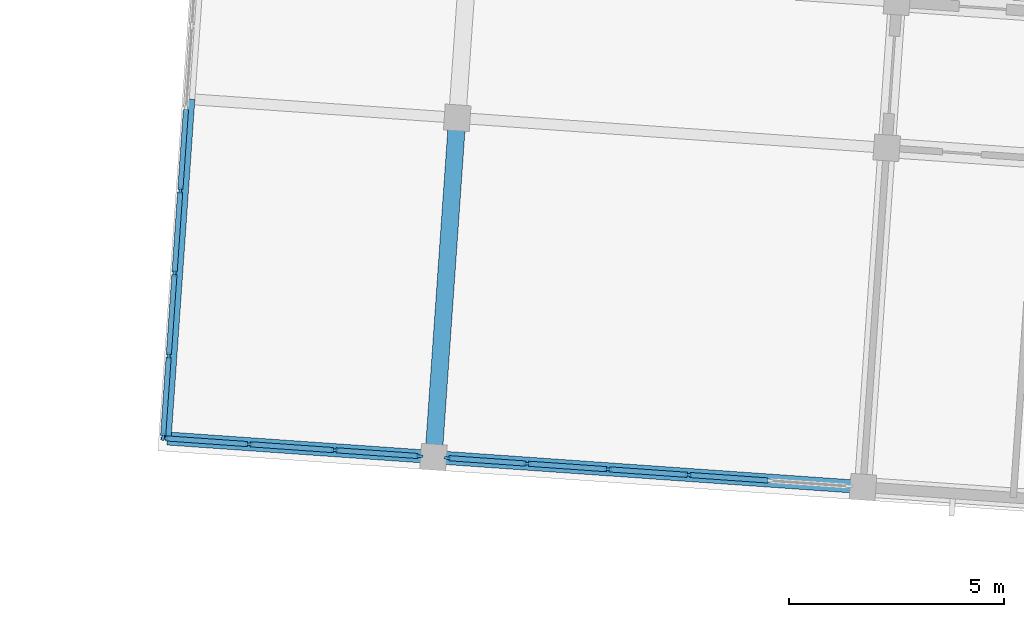
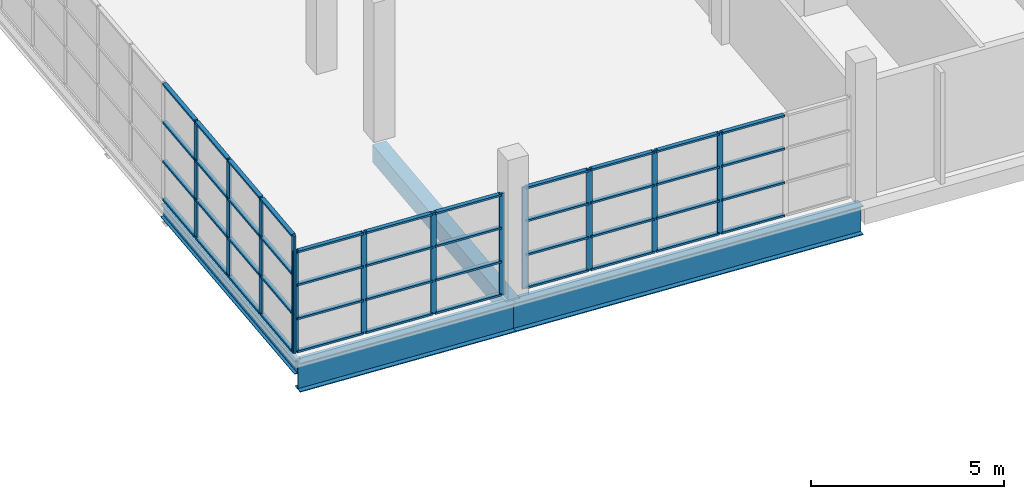
# One storey, part 37 of 115: 56 members, 4 beams, 3 elements without a shape of their own.
"""IFC4 building model written with IfcOpenShell, lengths in metres."""

from ifc_helpers import new_model, si_unit, direction, frame, origin, origin_2d, place, context, subcontext, project, spatial, rectangle, i_section, extrude, material, material_profile, profile_set, type_object, element, aggregate, save


model = new_model("IFC4")

# Units and contexts
model_context = context("Model", 3, precision=1e-05, world=origin(), true_north=direction((0.0, 1.0)))
body_context = subcontext(model_context, "Body", "Model", "MODEL_VIEW")
ifc_project = project(units=[si_unit("LENGTHUNIT", "METRE"), si_unit("AREAUNIT", "SQUARE_METRE"), si_unit("VOLUMEUNIT", "CUBIC_METRE"), si_unit("PLANEANGLEUNIT", "RADIAN"), si_unit("MASSUNIT", "GRAM", prefix="KILO")], contexts=[model_context])

# Site, building, storey
site_placement = place(None, origin())
site = spatial("IfcSite", under=ifc_project, at=site_placement, CompositionType="ELEMENT")
building_placement = place(site_placement, origin())
building = spatial("IfcBuilding", under=site, at=building_placement, Name="Windward Yard Aquatics Centre", CompositionType="ELEMENT")
storey_placement = place(building_placement, frame((0.0, 0.0, 5.0)))
storey = spatial("IfcBuildingStorey", under=building, at=storey_placement, Name="L01", CompositionType="ELEMENT", Elevation=5.0)

# Curtain wall, members
ifc_material_1 = material(Name="Aluminium curtain wall system", Category="aluminium")
curtain_wall_type = type_object("IfcCurtainWallType", Name="W curtain wall 1900", PredefinedType="NOTDEFINED", material=ifc_material_1)
curtain_wall_1_placement = place(storey_placement, origin())
curtain_wall_1 = element("IfcCurtainWall", 1, at=curtain_wall_1_placement, inside=storey, type_object=curtain_wall_type, Name="Wing south glazing L01 1", PredefinedType="NOTDEFINED")
ifc_material_2 = material(Name="Aluminium mullion", Category="aluminium")
ifc_material_profile_1 = material_profile(ifc_material_2, rectangle(XDim=0.06005859375, YDim=0.159912109375, at=origin_2d()), Name="AL 60x160")
ifc_profile_set_1 = profile_set([ifc_material_profile_1], Name="Aluminium mullion")
member_type_1 = type_object("IfcMemberType", Name="W CW mullion 60x160", PredefinedType="MULLION", material=ifc_profile_set_1)
member_1_placement = place(storey_placement, frame((101.608642578125, 117.302490234375, 0.0), z_axis=(0.0, 0.0, 1.0), x_axis=(0.069766434969, 0.997563353653, 0.0)))
member_1 = element("IfcMember", 2, at=member_1_placement, type_object=member_type_1, Name="WCW1 mullion 1", PredefinedType="MULLION", context=body_context, shape_type="SweptSolid", body=[
    extrude(rectangle(XDim=0.06005859375, YDim=0.159912109375, at=origin_2d()), origin(), (0.0, 0.0, 1.0), 3.2060546875),
])
member_2_placement = place(storey_placement, frame((103.57373046875, 117.1650390625, 0.0), z_axis=(0.0, 0.0, 1.0), x_axis=(0.069766434969, 0.997563353653, 0.0)))
member_2 = element("IfcMember", 3, at=member_2_placement, type_object=member_type_1, Name="WCW1 mullion 2", PredefinedType="MULLION", context=body_context, shape_type="SweptSolid", body=[
    extrude(rectangle(XDim=0.06005859375, YDim=0.159912109375, at=origin_2d()), origin(), (0.0, 0.0, 1.0), 3.2060546875),
])
member_3_placement = place(storey_placement, frame((105.56884765625, 117.025634765625, 0.0), z_axis=(0.0, 0.0, 1.0), x_axis=(0.069766434969, 0.997563353653, 0.0)))
member_3 = element("IfcMember", 4, at=member_3_placement, type_object=member_type_1, Name="WCW1 mullion 3", PredefinedType="MULLION", context=body_context, shape_type="SweptSolid", body=[
    extrude(rectangle(XDim=0.06005859375, YDim=0.159912109375, at=origin_2d()), origin(), (0.0, 0.0, 1.0), 3.2060546875),
])
member_4_placement = place(storey_placement, frame((107.5341796875, 116.88818359375, 0.0), z_axis=(0.0, 0.0, 1.0), x_axis=(0.069766434969, 0.997563353653, 0.0)))
member_4 = element("IfcMember", 5, at=member_4_placement, type_object=member_type_1, Name="WCW1 mullion 4", PredefinedType="MULLION", context=body_context, shape_type="SweptSolid", body=[
    extrude(rectangle(XDim=0.06005859375, YDim=0.159912109375, at=origin_2d()), origin(), (0.0, 0.0, 1.0), 3.2060546875),
])

curtain_wall_2_placement = place(storey_placement, origin())
curtain_wall_2 = element("IfcCurtainWall", 6, at=curtain_wall_2_placement, inside=storey, type_object=curtain_wall_type, Name="Wing south glazing L01 2", PredefinedType="NOTDEFINED")
member_5_placement = place(storey_placement, frame((108.1923828125, 116.842041015625, 0.0), z_axis=(0.0, 0.0, 1.0), x_axis=(0.069755340111, 0.997564129531, 0.0)))
member_5 = element("IfcMember", 7, at=member_5_placement, type_object=member_type_1, Name="WCW1 mullion 1", PredefinedType="MULLION", context=body_context, shape_type="SweptSolid", body=[
    extrude(rectangle(XDim=0.06005859375, YDim=0.159912109375, at=origin_2d()), origin(), (0.0, 0.0, 1.0), 3.2060546875),
])
member_6_placement = place(storey_placement, frame((110.037841796875, 116.713134765625, 0.0), z_axis=(0.0, 0.0, 1.0), x_axis=(0.069755340111, 0.997564129531, 0.0)))
member_6 = element("IfcMember", 8, at=member_6_placement, type_object=member_type_1, Name="WCW1 mullion 2", PredefinedType="MULLION", context=body_context, shape_type="SweptSolid", body=[
    extrude(rectangle(XDim=0.06005859375, YDim=0.159912109375, at=origin_2d()), origin(), (0.0, 0.0, 1.0), 3.2060546875),
])
member_7_placement = place(storey_placement, frame((111.913330078125, 116.58203125, 0.0), z_axis=(0.0, 0.0, 1.0), x_axis=(0.069755340111, 0.997564129531, 0.0)))
member_7 = element("IfcMember", 9, at=member_7_placement, type_object=member_type_1, Name="WCW1 mullion 3", PredefinedType="MULLION", context=body_context, shape_type="SweptSolid", body=[
    extrude(rectangle(XDim=0.06005859375, YDim=0.159912109375, at=origin_2d()), origin(), (0.0, 0.0, 1.0), 3.2060546875),
])
member_8_placement = place(storey_placement, frame((113.788818359375, 116.45068359375, 0.0), z_axis=(0.0, 0.0, 1.0), x_axis=(0.069755340111, 0.997564129531, 0.0)))
member_8 = element("IfcMember", 10, at=member_8_placement, type_object=member_type_1, Name="WCW1 mullion 4", PredefinedType="MULLION", context=body_context, shape_type="SweptSolid", body=[
    extrude(rectangle(XDim=0.06005859375, YDim=0.159912109375, at=origin_2d()), origin(), (0.0, 0.0, 1.0), 3.2060546875),
])

curtain_wall_3_placement = place(storey_placement, origin())
curtain_wall_3 = element("IfcCurtainWall", 11, at=curtain_wall_3_placement, inside=storey, type_object=curtain_wall_type, Name="Wing west glazing L01 1", PredefinedType="NOTDEFINED")
member_9_placement = place(storey_placement, frame((101.580810546875, 117.33447265625, 0.0), z_axis=(0.0, 0.0, 1.0), x_axis=(-0.997564130771, 0.069755322369, 0.0)))
member_9 = element("IfcMember", 12, at=member_9_placement, type_object=member_type_1, Name="WCW1 mullion 1", PredefinedType="MULLION", context=body_context, shape_type="SweptSolid", body=[
    extrude(rectangle(XDim=0.06005859375, YDim=0.159912109375, at=origin_2d()), origin(), (0.0, 0.0, 1.0), 3.702880859375),
])
member_10_placement = place(storey_placement, frame((101.712646484375, 119.219970703125, 0.0), z_axis=(0.0, 0.0, 1.0), x_axis=(-0.997564130771, 0.069755322369, 0.0)))
member_10 = element("IfcMember", 13, at=member_10_placement, type_object=member_type_1, Name="WCW1 mullion 2", PredefinedType="MULLION", context=body_context, shape_type="SweptSolid", body=[
    extrude(rectangle(XDim=0.06005859375, YDim=0.159912109375, at=origin_2d()), origin(), (0.0, 0.0, 1.0), 3.702880859375),
])
member_11_placement = place(storey_placement, frame((101.846435546875, 121.13525390625, 0.0), z_axis=(0.0, 0.0, 1.0), x_axis=(-0.997564130771, 0.069755322369, 0.0)))
member_11 = element("IfcMember", 14, at=member_11_placement, type_object=member_type_1, Name="WCW1 mullion 3", PredefinedType="MULLION", context=body_context, shape_type="SweptSolid", body=[
    extrude(rectangle(XDim=0.06005859375, YDim=0.159912109375, at=origin_2d()), origin(), (0.0, 0.0, 1.0), 3.702880859375),
])
member_12_placement = place(storey_placement, frame((101.98046875, 123.050537109375, 0.0), z_axis=(0.0, 0.0, 1.0), x_axis=(-0.997564130771, 0.069755322369, 0.0)))
member_12 = element("IfcMember", 15, at=member_12_placement, type_object=member_type_1, Name="WCW1 mullion 4", PredefinedType="MULLION", context=body_context, shape_type="SweptSolid", body=[
    extrude(rectangle(XDim=0.06005859375, YDim=0.159912109375, at=origin_2d()), origin(), (0.0, 0.0, 1.0), 3.702880859375),
])

# Member
ifc_material_3 = material(Name="Aluminium transom", Category="aluminium")
ifc_material_profile_2 = material_profile(ifc_material_3, rectangle(XDim=0.1201171875, YDim=0.06005859375, at=origin_2d()), Name="AL 120x60")
ifc_profile_set_2 = profile_set([ifc_material_profile_2], Name="Aluminium transom")
member_type_2 = type_object("IfcMemberType", Name="W CW transom 120x60", PredefinedType="USERDEFINED", material=ifc_profile_set_2)
member_13_placement = place(storey_placement, frame((101.638427734375, 117.30029296875, 0.030029296875), z_axis=(0.997570351402, -0.069666304653, 0.0), x_axis=(0.069666304653, 0.997570351402, 0.0)))
member_13 = element("IfcMember", 16, at=member_13_placement, type_object=member_type_2, Name="WCW1 transom 1.1", ObjectType="TRANSOM", PredefinedType="USERDEFINED", context=body_context, shape_type="SweptSolid", body=[
    extrude(rectangle(XDim=0.1201171875, YDim=0.06005859375, at=origin_2d()), origin(), (0.0, 0.0, 1.0), 1.909912109375),
])

member_14_placement = place(storey_placement, frame((101.638427734375, 117.30029296875, 1.068603515625), z_axis=(0.997570351402, -0.069666304653, 0.0), x_axis=(0.069666304653, 0.997570351402, 0.0)))
member_14 = element("IfcMember", 17, at=member_14_placement, type_object=member_type_2, Name="WCW1 transom 1.2", ObjectType="TRANSOM", PredefinedType="USERDEFINED", context=body_context, shape_type="SweptSolid", body=[
    extrude(rectangle(XDim=0.1201171875, YDim=0.06005859375, at=origin_2d()), origin(), (0.0, 0.0, 1.0), 1.909912109375),
])

member_15_placement = place(storey_placement, frame((101.638427734375, 117.30029296875, 2.13720703125), z_axis=(0.997570351402, -0.069666304653, 0.0), x_axis=(0.069666304653, 0.997570351402, 0.0)))
member_15 = element("IfcMember", 18, at=member_15_placement, type_object=member_type_2, Name="WCW1 transom 1.3", ObjectType="TRANSOM", PredefinedType="USERDEFINED", context=body_context, shape_type="SweptSolid", body=[
    extrude(rectangle(XDim=0.1201171875, YDim=0.06005859375, at=origin_2d()), origin(), (0.0, 0.0, 1.0), 1.909912109375),
])

member_16_placement = place(storey_placement, frame((101.638427734375, 117.30029296875, 3.176025390625), z_axis=(0.997570351402, -0.069666304653, 0.0), x_axis=(0.069666304653, 0.997570351402, 0.0)))
member_16 = element("IfcMember", 19, at=member_16_placement, type_object=member_type_2, Name="WCW1 transom 1.4", ObjectType="TRANSOM", PredefinedType="USERDEFINED", context=body_context, shape_type="SweptSolid", body=[
    extrude(rectangle(XDim=0.1201171875, YDim=0.06005859375, at=origin_2d()), origin(), (0.0, 0.0, 1.0), 1.909912109375),
])

member_17_placement = place(storey_placement, frame((103.603759765625, 117.1630859375, 0.030029296875), z_axis=(0.997557388798, -0.069851671812, 0.0), x_axis=(0.069851671812, 0.997557388798, 0.0)))
member_17 = element("IfcMember", 20, at=member_17_placement, type_object=member_type_2, Name="WCW1 transom 2.1", ObjectType="TRANSOM", PredefinedType="USERDEFINED", context=body_context, shape_type="SweptSolid", body=[
    extrude(rectangle(XDim=0.1201171875, YDim=0.06005859375, at=origin_2d()), origin(), (0.0, 0.0, 1.0), 1.939697265625),
])

member_18_placement = place(storey_placement, frame((103.603759765625, 117.1630859375, 1.068603515625), z_axis=(0.997557388798, -0.069851671812, 0.0), x_axis=(0.069851671812, 0.997557388798, 0.0)))
member_18 = element("IfcMember", 21, at=member_18_placement, type_object=member_type_2, Name="WCW1 transom 2.2", ObjectType="TRANSOM", PredefinedType="USERDEFINED", context=body_context, shape_type="SweptSolid", body=[
    extrude(rectangle(XDim=0.1201171875, YDim=0.06005859375, at=origin_2d()), origin(), (0.0, 0.0, 1.0), 1.939697265625),
])

member_19_placement = place(storey_placement, frame((103.603759765625, 117.1630859375, 2.13720703125), z_axis=(0.997557388798, -0.069851671812, 0.0), x_axis=(0.069851671812, 0.997557388798, 0.0)))
member_19 = element("IfcMember", 22, at=member_19_placement, type_object=member_type_2, Name="WCW1 transom 2.3", ObjectType="TRANSOM", PredefinedType="USERDEFINED", context=body_context, shape_type="SweptSolid", body=[
    extrude(rectangle(XDim=0.1201171875, YDim=0.06005859375, at=origin_2d()), origin(), (0.0, 0.0, 1.0), 1.939697265625),
])

member_20_placement = place(storey_placement, frame((103.603759765625, 117.1630859375, 3.176025390625), z_axis=(0.997557388798, -0.069851671812, 0.0), x_axis=(0.069851671812, 0.997557388798, 0.0)))
member_20 = element("IfcMember", 23, at=member_20_placement, type_object=member_type_2, Name="WCW1 transom 2.4", ObjectType="TRANSOM", PredefinedType="USERDEFINED", context=body_context, shape_type="SweptSolid", body=[
    extrude(rectangle(XDim=0.1201171875, YDim=0.06005859375, at=origin_2d()), origin(), (0.0, 0.0, 1.0), 1.939697265625),
])

member_21_placement = place(storey_placement, frame((105.598876953125, 117.0234375, 0.030029296875), z_axis=(0.997561459697, -0.069793510635, 0.0), x_axis=(0.069793510635, 0.997561459697, 0.0)))
member_21 = element("IfcMember", 24, at=member_21_placement, type_object=member_type_2, Name="WCW1 transom 3.1", ObjectType="TRANSOM", PredefinedType="USERDEFINED", context=body_context, shape_type="SweptSolid", body=[
    extrude(rectangle(XDim=0.1201171875, YDim=0.06005859375, at=origin_2d()), origin(), (0.0, 0.0, 1.0), 1.909912109375),
])

member_22_placement = place(storey_placement, frame((105.598876953125, 117.0234375, 1.068603515625), z_axis=(0.997561459697, -0.069793510635, 0.0), x_axis=(0.069793510635, 0.997561459697, 0.0)))
member_22 = element("IfcMember", 25, at=member_22_placement, type_object=member_type_2, Name="WCW1 transom 3.2", ObjectType="TRANSOM", PredefinedType="USERDEFINED", context=body_context, shape_type="SweptSolid", body=[
    extrude(rectangle(XDim=0.1201171875, YDim=0.06005859375, at=origin_2d()), origin(), (0.0, 0.0, 1.0), 1.909912109375),
])

member_23_placement = place(storey_placement, frame((105.598876953125, 117.0234375, 2.13720703125), z_axis=(0.997561459697, -0.069793510635, 0.0), x_axis=(0.069793510635, 0.997561459697, 0.0)))
member_23 = element("IfcMember", 26, at=member_23_placement, type_object=member_type_2, Name="WCW1 transom 3.3", ObjectType="TRANSOM", PredefinedType="USERDEFINED", context=body_context, shape_type="SweptSolid", body=[
    extrude(rectangle(XDim=0.1201171875, YDim=0.06005859375, at=origin_2d()), origin(), (0.0, 0.0, 1.0), 1.909912109375),
])

member_24_placement = place(storey_placement, frame((105.598876953125, 117.0234375, 3.176025390625), z_axis=(0.997561459697, -0.069793510635, 0.0), x_axis=(0.069793510635, 0.997561459697, 0.0)))
member_24 = element("IfcMember", 27, at=member_24_placement, type_object=member_type_2, Name="WCW1 transom 3.4", ObjectType="TRANSOM", PredefinedType="USERDEFINED", context=body_context, shape_type="SweptSolid", body=[
    extrude(rectangle(XDim=0.1201171875, YDim=0.06005859375, at=origin_2d()), origin(), (0.0, 0.0, 1.0), 1.909912109375),
])

aggregate(curtain_wall_1, [member_1, member_2, member_3, member_4, member_13, member_14, member_15, member_16, member_17, member_18, member_19, member_20, member_21, member_22, member_23, member_24])

member_25_placement = place(storey_placement, frame((108.222412109375, 116.840087890625, 0.030029296875), z_axis=(0.997558777123, -0.069831842205, 0.0), x_axis=(0.069831842205, 0.997558777123, 0.0)))
member_25 = element("IfcMember", 28, at=member_25_placement, type_object=member_type_2, Name="WCW1 transom 1.1", ObjectType="TRANSOM", PredefinedType="USERDEFINED", context=body_context, shape_type="SweptSolid", body=[
    extrude(rectangle(XDim=0.1201171875, YDim=0.06005859375, at=origin_2d()), origin(), (0.0, 0.0, 1.0), 1.7900390625),
])

member_26_placement = place(storey_placement, frame((108.222412109375, 116.840087890625, 1.068603515625), z_axis=(0.997558777123, -0.069831842205, 0.0), x_axis=(0.069831842205, 0.997558777123, 0.0)))
member_26 = element("IfcMember", 29, at=member_26_placement, type_object=member_type_2, Name="WCW1 transom 1.2", ObjectType="TRANSOM", PredefinedType="USERDEFINED", context=body_context, shape_type="SweptSolid", body=[
    extrude(rectangle(XDim=0.1201171875, YDim=0.06005859375, at=origin_2d()), origin(), (0.0, 0.0, 1.0), 1.7900390625),
])

member_27_placement = place(storey_placement, frame((108.222412109375, 116.840087890625, 2.13720703125), z_axis=(0.997558777123, -0.069831842205, 0.0), x_axis=(0.069831842205, 0.997558777123, 0.0)))
member_27 = element("IfcMember", 30, at=member_27_placement, type_object=member_type_2, Name="WCW1 transom 1.3", ObjectType="TRANSOM", PredefinedType="USERDEFINED", context=body_context, shape_type="SweptSolid", body=[
    extrude(rectangle(XDim=0.1201171875, YDim=0.06005859375, at=origin_2d()), origin(), (0.0, 0.0, 1.0), 1.7900390625),
])

member_28_placement = place(storey_placement, frame((108.222412109375, 116.840087890625, 3.176025390625), z_axis=(0.997558777123, -0.069831842205, 0.0), x_axis=(0.069831842205, 0.997558777123, 0.0)))
member_28 = element("IfcMember", 31, at=member_28_placement, type_object=member_type_2, Name="WCW1 transom 1.4", ObjectType="TRANSOM", PredefinedType="USERDEFINED", context=body_context, shape_type="SweptSolid", body=[
    extrude(rectangle(XDim=0.1201171875, YDim=0.06005859375, at=origin_2d()), origin(), (0.0, 0.0, 1.0), 1.7900390625),
])

member_29_placement = place(storey_placement, frame((110.06787109375, 116.7109375, 0.030029296875), z_axis=(0.997563824095, -0.069759707979, 0.0), x_axis=(0.069759707979, 0.997563824095, 0.0)))
member_29 = element("IfcMember", 32, at=member_29_placement, type_object=member_type_2, Name="WCW1 transom 2.1", ObjectType="TRANSOM", PredefinedType="USERDEFINED", context=body_context, shape_type="SweptSolid", body=[
    extrude(rectangle(XDim=0.1201171875, YDim=0.06005859375, at=origin_2d()), origin(), (0.0, 0.0, 1.0), 1.81982421875),
])

member_30_placement = place(storey_placement, frame((110.06787109375, 116.7109375, 1.068603515625), z_axis=(0.997563824095, -0.069759707979, 0.0), x_axis=(0.069759707979, 0.997563824095, 0.0)))
member_30 = element("IfcMember", 33, at=member_30_placement, type_object=member_type_2, Name="WCW1 transom 2.2", ObjectType="TRANSOM", PredefinedType="USERDEFINED", context=body_context, shape_type="SweptSolid", body=[
    extrude(rectangle(XDim=0.1201171875, YDim=0.06005859375, at=origin_2d()), origin(), (0.0, 0.0, 1.0), 1.81982421875),
])

member_31_placement = place(storey_placement, frame((110.06787109375, 116.7109375, 2.13720703125), z_axis=(0.997563824095, -0.069759707979, 0.0), x_axis=(0.069759707979, 0.997563824095, 0.0)))
member_31 = element("IfcMember", 34, at=member_31_placement, type_object=member_type_2, Name="WCW1 transom 2.3", ObjectType="TRANSOM", PredefinedType="USERDEFINED", context=body_context, shape_type="SweptSolid", body=[
    extrude(rectangle(XDim=0.1201171875, YDim=0.06005859375, at=origin_2d()), origin(), (0.0, 0.0, 1.0), 1.81982421875),
])

member_32_placement = place(storey_placement, frame((110.06787109375, 116.7109375, 3.176025390625), z_axis=(0.997563824095, -0.069759707979, 0.0), x_axis=(0.069759707979, 0.997563824095, 0.0)))
member_32 = element("IfcMember", 35, at=member_32_placement, type_object=member_type_2, Name="WCW1 transom 2.4", ObjectType="TRANSOM", PredefinedType="USERDEFINED", context=body_context, shape_type="SweptSolid", body=[
    extrude(rectangle(XDim=0.1201171875, YDim=0.06005859375, at=origin_2d()), origin(), (0.0, 0.0, 1.0), 1.81982421875),
])

member_33_placement = place(storey_placement, frame((111.943359375, 116.579833984375, 0.030029296875), z_axis=(0.997563824095, -0.069759707979, 0.0), x_axis=(0.069759707979, 0.997563824095, 0.0)))
member_33 = element("IfcMember", 36, at=member_33_placement, type_object=member_type_2, Name="WCW1 transom 3.1", ObjectType="TRANSOM", PredefinedType="USERDEFINED", context=body_context, shape_type="SweptSolid", body=[
    extrude(rectangle(XDim=0.1201171875, YDim=0.06005859375, at=origin_2d()), origin(), (0.0, 0.0, 1.0), 1.81982421875),
])

member_34_placement = place(storey_placement, frame((111.943359375, 116.579833984375, 1.068603515625), z_axis=(0.997563824095, -0.069759707979, 0.0), x_axis=(0.069759707979, 0.997563824095, 0.0)))
member_34 = element("IfcMember", 37, at=member_34_placement, type_object=member_type_2, Name="WCW1 transom 3.2", ObjectType="TRANSOM", PredefinedType="USERDEFINED", context=body_context, shape_type="SweptSolid", body=[
    extrude(rectangle(XDim=0.1201171875, YDim=0.06005859375, at=origin_2d()), origin(), (0.0, 0.0, 1.0), 1.81982421875),
])

member_35_placement = place(storey_placement, frame((111.943359375, 116.579833984375, 2.13720703125), z_axis=(0.997563824095, -0.069759707979, 0.0), x_axis=(0.069759707979, 0.997563824095, 0.0)))
member_35 = element("IfcMember", 38, at=member_35_placement, type_object=member_type_2, Name="WCW1 transom 3.3", ObjectType="TRANSOM", PredefinedType="USERDEFINED", context=body_context, shape_type="SweptSolid", body=[
    extrude(rectangle(XDim=0.1201171875, YDim=0.06005859375, at=origin_2d()), origin(), (0.0, 0.0, 1.0), 1.81982421875),
])

member_36_placement = place(storey_placement, frame((111.943359375, 116.579833984375, 3.176025390625), z_axis=(0.997563824095, -0.069759707979, 0.0), x_axis=(0.069759707979, 0.997563824095, 0.0)))
member_36 = element("IfcMember", 39, at=member_36_placement, type_object=member_type_2, Name="WCW1 transom 3.4", ObjectType="TRANSOM", PredefinedType="USERDEFINED", context=body_context, shape_type="SweptSolid", body=[
    extrude(rectangle(XDim=0.1201171875, YDim=0.06005859375, at=origin_2d()), origin(), (0.0, 0.0, 1.0), 1.81982421875),
])

member_37_placement = place(storey_placement, frame((113.818603515625, 116.44873046875, 0.030029296875), z_axis=(0.99756447681, -0.06975037353, 0.0), x_axis=(0.06975037353, 0.99756447681, 0.0)))
member_37 = element("IfcMember", 40, at=member_37_placement, type_object=member_type_2, Name="WCW1 transom 4.1", ObjectType="TRANSOM", PredefinedType="USERDEFINED", context=body_context, shape_type="SweptSolid", body=[
    extrude(rectangle(XDim=0.1201171875, YDim=0.06005859375, at=origin_2d()), origin(), (0.0, 0.0, 1.0), 1.820068359375),
])

member_38_placement = place(storey_placement, frame((113.818603515625, 116.44873046875, 1.068603515625), z_axis=(0.99756447681, -0.06975037353, 0.0), x_axis=(0.06975037353, 0.99756447681, 0.0)))
member_38 = element("IfcMember", 41, at=member_38_placement, type_object=member_type_2, Name="WCW1 transom 4.2", ObjectType="TRANSOM", PredefinedType="USERDEFINED", context=body_context, shape_type="SweptSolid", body=[
    extrude(rectangle(XDim=0.1201171875, YDim=0.06005859375, at=origin_2d()), origin(), (0.0, 0.0, 1.0), 1.820068359375),
])

member_39_placement = place(storey_placement, frame((113.818603515625, 116.44873046875, 2.13720703125), z_axis=(0.99756447681, -0.06975037353, 0.0), x_axis=(0.06975037353, 0.99756447681, 0.0)))
member_39 = element("IfcMember", 42, at=member_39_placement, type_object=member_type_2, Name="WCW1 transom 4.3", ObjectType="TRANSOM", PredefinedType="USERDEFINED", context=body_context, shape_type="SweptSolid", body=[
    extrude(rectangle(XDim=0.1201171875, YDim=0.06005859375, at=origin_2d()), origin(), (0.0, 0.0, 1.0), 1.820068359375),
])

member_40_placement = place(storey_placement, frame((113.818603515625, 116.44873046875, 3.176025390625), z_axis=(0.99756447681, -0.06975037353, 0.0), x_axis=(0.06975037353, 0.99756447681, 0.0)))
member_40 = element("IfcMember", 43, at=member_40_placement, type_object=member_type_2, Name="WCW1 transom 4.4", ObjectType="TRANSOM", PredefinedType="USERDEFINED", context=body_context, shape_type="SweptSolid", body=[
    extrude(rectangle(XDim=0.1201171875, YDim=0.06005859375, at=origin_2d()), origin(), (0.0, 0.0, 1.0), 1.820068359375),
])

aggregate(curtain_wall_2, [member_5, member_6, member_7, member_8, member_25, member_26, member_27, member_28, member_29, member_30, member_31, member_32, member_33, member_34, member_35, member_36, member_37, member_38, member_39, member_40])

member_41_placement = place(storey_placement, frame((101.582763671875, 117.364501953125, 0.030029296875), z_axis=(0.069777348501, 0.997562590335, 0.0), x_axis=(-0.997562590335, 0.069777348501, 0.0)))
member_41 = element("IfcMember", 44, at=member_41_placement, type_object=member_type_2, Name="WCW1 transom 1.1", ObjectType="TRANSOM", PredefinedType="USERDEFINED", context=body_context, shape_type="SweptSolid", body=[
    extrude(rectangle(XDim=0.1201171875, YDim=0.06005859375, at=origin_2d()), origin(), (0.0, 0.0, 1.0), 1.829833984375),
])

member_42_placement = place(storey_placement, frame((101.582763671875, 117.364501953125, 1.234375), z_axis=(0.069777348501, 0.997562590335, 0.0), x_axis=(-0.997562590335, 0.069777348501, 0.0)))
member_42 = element("IfcMember", 45, at=member_42_placement, type_object=member_type_2, Name="WCW1 transom 1.2", ObjectType="TRANSOM", PredefinedType="USERDEFINED", context=body_context, shape_type="SweptSolid", body=[
    extrude(rectangle(XDim=0.1201171875, YDim=0.06005859375, at=origin_2d()), origin(), (0.0, 0.0, 1.0), 1.829833984375),
])

member_43_placement = place(storey_placement, frame((101.582763671875, 117.364501953125, 2.46875), z_axis=(0.069777348501, 0.997562590335, 0.0), x_axis=(-0.997562590335, 0.069777348501, 0.0)))
member_43 = element("IfcMember", 46, at=member_43_placement, type_object=member_type_2, Name="WCW1 transom 1.3", ObjectType="TRANSOM", PredefinedType="USERDEFINED", context=body_context, shape_type="SweptSolid", body=[
    extrude(rectangle(XDim=0.1201171875, YDim=0.06005859375, at=origin_2d()), origin(), (0.0, 0.0, 1.0), 1.829833984375),
])

member_44_placement = place(storey_placement, frame((101.582763671875, 117.364501953125, 3.673095703125), z_axis=(0.069777348501, 0.997562590335, 0.0), x_axis=(-0.997562590335, 0.069777348501, 0.0)))
member_44 = element("IfcMember", 47, at=member_44_placement, type_object=member_type_2, Name="WCW1 transom 1.4", ObjectType="TRANSOM", PredefinedType="USERDEFINED", context=body_context, shape_type="SweptSolid", body=[
    extrude(rectangle(XDim=0.1201171875, YDim=0.06005859375, at=origin_2d()), origin(), (0.0, 0.0, 1.0), 1.829833984375),
])

member_45_placement = place(storey_placement, frame((101.714599609375, 119.249755859375, 0.030029296875), z_axis=(0.0698291277, 0.997558967142, 0.0), x_axis=(-0.997558967142, 0.0698291277, 0.0)))
member_45 = element("IfcMember", 48, at=member_45_placement, type_object=member_type_2, Name="WCW1 transom 2.1", ObjectType="TRANSOM", PredefinedType="USERDEFINED", context=body_context, shape_type="SweptSolid", body=[
    extrude(rectangle(XDim=0.1201171875, YDim=0.06005859375, at=origin_2d()), origin(), (0.0, 0.0, 1.0), 1.860107421875),
])

member_46_placement = place(storey_placement, frame((101.714599609375, 119.249755859375, 1.234375), z_axis=(0.0698291277, 0.997558967142, 0.0), x_axis=(-0.997558967142, 0.0698291277, 0.0)))
member_46 = element("IfcMember", 49, at=member_46_placement, type_object=member_type_2, Name="WCW1 transom 2.2", ObjectType="TRANSOM", PredefinedType="USERDEFINED", context=body_context, shape_type="SweptSolid", body=[
    extrude(rectangle(XDim=0.1201171875, YDim=0.06005859375, at=origin_2d()), origin(), (0.0, 0.0, 1.0), 1.860107421875),
])

member_47_placement = place(storey_placement, frame((101.714599609375, 119.249755859375, 2.46875), z_axis=(0.0698291277, 0.997558967142, 0.0), x_axis=(-0.997558967142, 0.0698291277, 0.0)))
member_47 = element("IfcMember", 50, at=member_47_placement, type_object=member_type_2, Name="WCW1 transom 2.3", ObjectType="TRANSOM", PredefinedType="USERDEFINED", context=body_context, shape_type="SweptSolid", body=[
    extrude(rectangle(XDim=0.1201171875, YDim=0.06005859375, at=origin_2d()), origin(), (0.0, 0.0, 1.0), 1.860107421875),
])

member_48_placement = place(storey_placement, frame((101.714599609375, 119.249755859375, 3.673095703125), z_axis=(0.0698291277, 0.997558967142, 0.0), x_axis=(-0.997558967142, 0.0698291277, 0.0)))
member_48 = element("IfcMember", 51, at=member_48_placement, type_object=member_type_2, Name="WCW1 transom 2.4", ObjectType="TRANSOM", PredefinedType="USERDEFINED", context=body_context, shape_type="SweptSolid", body=[
    extrude(rectangle(XDim=0.1201171875, YDim=0.06005859375, at=origin_2d()), origin(), (0.0, 0.0, 1.0), 1.860107421875),
])

member_49_placement = place(storey_placement, frame((101.8486328125, 121.165283203125, 0.030029296875), z_axis=(0.069698508173, 0.997568101915, 0.0), x_axis=(-0.997568101915, 0.069698508173, 0.0)))
member_49 = element("IfcMember", 52, at=member_49_placement, type_object=member_type_2, Name="WCW1 transom 3.1", ObjectType="TRANSOM", PredefinedType="USERDEFINED", context=body_context, shape_type="SweptSolid", body=[
    extrude(rectangle(XDim=0.1201171875, YDim=0.06005859375, at=origin_2d()), origin(), (0.0, 0.0, 1.0), 1.860107421875),
])

member_50_placement = place(storey_placement, frame((101.8486328125, 121.165283203125, 1.234375), z_axis=(0.069698508173, 0.997568101915, 0.0), x_axis=(-0.997568101915, 0.069698508173, 0.0)))
member_50 = element("IfcMember", 53, at=member_50_placement, type_object=member_type_2, Name="WCW1 transom 3.2", ObjectType="TRANSOM", PredefinedType="USERDEFINED", context=body_context, shape_type="SweptSolid", body=[
    extrude(rectangle(XDim=0.1201171875, YDim=0.06005859375, at=origin_2d()), origin(), (0.0, 0.0, 1.0), 1.860107421875),
])

member_51_placement = place(storey_placement, frame((101.8486328125, 121.165283203125, 2.46875), z_axis=(0.069698508173, 0.997568101915, 0.0), x_axis=(-0.997568101915, 0.069698508173, 0.0)))
member_51 = element("IfcMember", 54, at=member_51_placement, type_object=member_type_2, Name="WCW1 transom 3.3", ObjectType="TRANSOM", PredefinedType="USERDEFINED", context=body_context, shape_type="SweptSolid", body=[
    extrude(rectangle(XDim=0.1201171875, YDim=0.06005859375, at=origin_2d()), origin(), (0.0, 0.0, 1.0), 1.860107421875),
])

member_52_placement = place(storey_placement, frame((101.8486328125, 121.165283203125, 3.673095703125), z_axis=(0.069698508173, 0.997568101915, 0.0), x_axis=(-0.997568101915, 0.069698508173, 0.0)))
member_52 = element("IfcMember", 55, at=member_52_placement, type_object=member_type_2, Name="WCW1 transom 3.4", ObjectType="TRANSOM", PredefinedType="USERDEFINED", context=body_context, shape_type="SweptSolid", body=[
    extrude(rectangle(XDim=0.1201171875, YDim=0.06005859375, at=origin_2d()), origin(), (0.0, 0.0, 1.0), 1.860107421875),
])

member_53_placement = place(storey_placement, frame((101.982421875, 123.08056640625, 0.030029296875), z_axis=(0.0698291277, 0.997558967142, 0.0), x_axis=(-0.997558967142, 0.0698291277, 0.0)))
member_53 = element("IfcMember", 56, at=member_53_placement, type_object=member_type_2, Name="WCW1 transom 4.1", ObjectType="TRANSOM", PredefinedType="USERDEFINED", context=body_context, shape_type="SweptSolid", body=[
    extrude(rectangle(XDim=0.1201171875, YDim=0.06005859375, at=origin_2d()), origin(), (0.0, 0.0, 1.0), 1.860107421875),
])

member_54_placement = place(storey_placement, frame((101.982421875, 123.08056640625, 1.234375), z_axis=(0.0698291277, 0.997558967142, 0.0), x_axis=(-0.997558967142, 0.0698291277, 0.0)))
member_54 = element("IfcMember", 57, at=member_54_placement, type_object=member_type_2, Name="WCW1 transom 4.2", ObjectType="TRANSOM", PredefinedType="USERDEFINED", context=body_context, shape_type="SweptSolid", body=[
    extrude(rectangle(XDim=0.1201171875, YDim=0.06005859375, at=origin_2d()), origin(), (0.0, 0.0, 1.0), 1.860107421875),
])

member_55_placement = place(storey_placement, frame((101.982421875, 123.08056640625, 2.46875), z_axis=(0.0698291277, 0.997558967142, 0.0), x_axis=(-0.997558967142, 0.0698291277, 0.0)))
member_55 = element("IfcMember", 58, at=member_55_placement, type_object=member_type_2, Name="WCW1 transom 4.3", ObjectType="TRANSOM", PredefinedType="USERDEFINED", context=body_context, shape_type="SweptSolid", body=[
    extrude(rectangle(XDim=0.1201171875, YDim=0.06005859375, at=origin_2d()), origin(), (0.0, 0.0, 1.0), 1.860107421875),
])

member_56_placement = place(storey_placement, frame((101.982421875, 123.08056640625, 3.673095703125), z_axis=(0.0698291277, 0.997558967142, 0.0), x_axis=(-0.997558967142, 0.0698291277, 0.0)))
member_56 = element("IfcMember", 59, at=member_56_placement, type_object=member_type_2, Name="WCW1 transom 4.4", ObjectType="TRANSOM", PredefinedType="USERDEFINED", context=body_context, shape_type="SweptSolid", body=[
    extrude(rectangle(XDim=0.1201171875, YDim=0.06005859375, at=origin_2d()), origin(), (0.0, 0.0, 1.0), 1.860107421875),
])

aggregate(curtain_wall_3, [member_9, member_10, member_11, member_12, member_41, member_42, member_43, member_44, member_45, member_46, member_47, member_48, member_49, member_50, member_51, member_52, member_53, member_54, member_55, member_56])

# Beams
ifc_material_4 = material(Name="Concrete C40/50", Category="concrete")
ifc_material_profile_3 = material_profile(ifc_material_4, rectangle(XDim=0.39990234375, YDim=0.550048828125, at=origin_2d()), Name="RC 400x550")
ifc_profile_set_3 = profile_set([ifc_material_profile_3], Name="Concrete C40/50")
beam_type_1 = type_object("IfcBeamType", Name="W RC 400x550 beam Concrete C40/50", PredefinedType="BEAM", material=ifc_profile_set_3)
beam_1_placement = place(storey_placement, frame((107.86328125, 116.864990234375, -0.554931640625), z_axis=(0.0697491702, 0.997564560947, 0.0), x_axis=(-0.997564560947, 0.0697491702, 0.0)))
element("IfcBeam", 60, at=beam_1_placement, inside=storey, type_object=beam_type_1, Name="W.BV.L01.1.A", PredefinedType="BEAM", context=body_context, shape_type="SweptSolid", body=[
    extrude(rectangle(XDim=0.39990234375, YDim=0.550048828125, at=origin_2d()), origin(), (0.0, 0.0, 1.0), 7.900146484375),
])
ifc_material_5 = material(Name="Steel S355", Category="steel")
ifc_material_profile_4 = material_profile(ifc_material_5, i_section(OverallWidth=0.180908203125, OverallDepth=0.4169921875, WebThickness=0.010986328125, FlangeThickness=0.018310546875, at=origin_2d()), Name="W410x85")
ifc_profile_set_4 = profile_set([ifc_material_profile_4], Name="Steel S355")
beam_type_2 = type_object("IfcBeamType", Name="W W410x85 beam", PredefinedType="BEAM", material=ifc_profile_set_4)
beam_2_placement = place(storey_placement, frame((101.67822265625, 117.297607421875, -0.488525390625), z_axis=(0.069782074492, 0.997562259751, 0.0), x_axis=(-0.997562259751, 0.069782074492, 0.0)))
element("IfcBeam", 61, at=beam_2_placement, inside=storey, type_object=beam_type_2, Name="W.BT.L01.A", PredefinedType="BEAM", context=body_context, shape_type="SweptSolid", body=[
    extrude(i_section(OverallWidth=0.180908203125, OverallDepth=0.4169921875, WebThickness=0.010986328125, FlangeThickness=0.018310546875, at=origin_2d()), origin(), (0.0, 0.0, 1.0), 7.89990234375),
])
ifc_material_profile_5 = material_profile(ifc_material_5, i_section(OverallWidth=0.304931640625, OverallDepth=0.9140625, WebThickness=0.0166015625, FlangeThickness=0.02587890625, at=origin_2d()), Name="W920x238")
ifc_profile_set_5 = profile_set([ifc_material_profile_5], Name="Steel S355")
beam_type_3 = type_object("IfcBeamType", Name="W W920x238 beam", PredefinedType="BEAM", material=ifc_profile_set_5)
beam_3_placement = place(storey_placement, frame((101.67822265625, 117.297607421875, -0.737060546875), z_axis=(0.997562750893, -0.069775053074, 0.0), x_axis=(0.069775053074, 0.997562750893, 0.0)))
element("IfcBeam", 62, at=beam_3_placement, inside=storey, type_object=beam_type_3, Name="W.BC.L01.1", PredefinedType="BEAM", context=body_context, shape_type="SweptSolid", body=[
    extrude(i_section(OverallWidth=0.304931640625, OverallDepth=0.9140625, WebThickness=0.0166015625, FlangeThickness=0.02587890625, at=origin_2d()), origin(), (0.0, 0.0, 1.0), 6.2001953125),
])
beam_4_placement = place(storey_placement, frame((107.86328125, 116.864990234375, -0.737060546875), z_axis=(0.997564406228, -0.069751382981, 0.0), x_axis=(0.069751382981, 0.997564406228, 0.0)))
element("IfcBeam", 63, at=beam_4_placement, inside=storey, type_object=beam_type_3, Name="W.BB.L01.1", PredefinedType="BEAM", context=body_context, shape_type="SweptSolid", body=[
    extrude(i_section(OverallWidth=0.304931640625, OverallDepth=0.9140625, WebThickness=0.0166015625, FlangeThickness=0.02587890625, at=origin_2d()), origin(), (0.0, 0.0, 1.0), 10.0),
])

save(model, "model.ifc")
